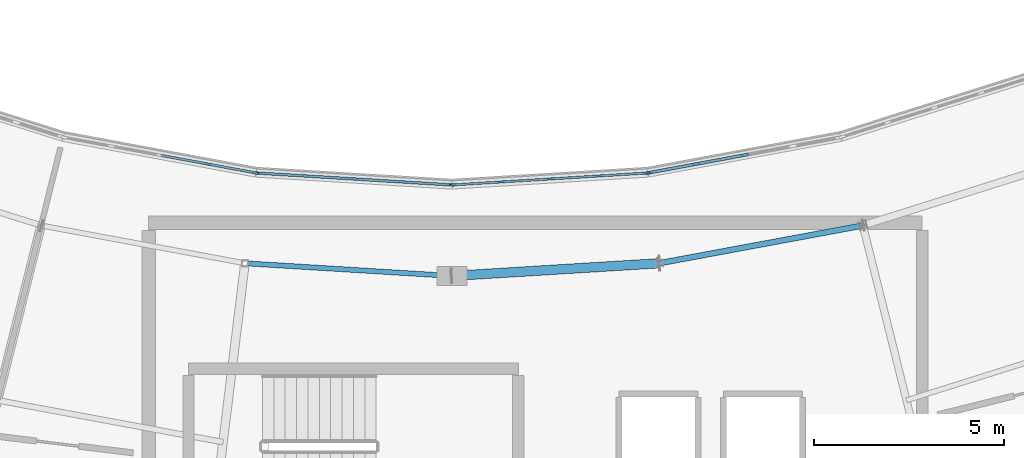
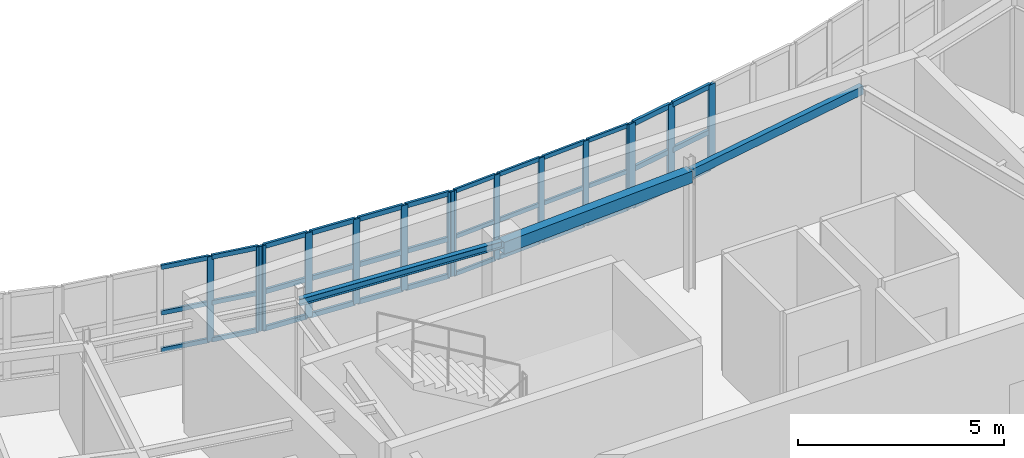
# One storey, part 21 of 65: 51 members, 3 beams, 4 elements without a shape of their own.
"""IFC4 building model written with IfcOpenShell, lengths in metres."""

from ifc_helpers import new_model, si_unit, direction, frame, origin, origin_2d, place, context, subcontext, project, spatial, rectangle, hollow_rectangle, i_section, extrude, material, layer, layer_set, material_profile, profile_set, type_object, element, aggregate, save


model = new_model("IFC4")

# Units and contexts
model_context = context("Model", 3, precision=1e-05, world=origin(), true_north=direction((0.0, 1.0)))
body_context = subcontext(model_context, "Body", "Model", "MODEL_VIEW")
ifc_project = project(units=[si_unit("LENGTHUNIT", "METRE"), si_unit("AREAUNIT", "SQUARE_METRE"), si_unit("VOLUMEUNIT", "CUBIC_METRE"), si_unit("PLANEANGLEUNIT", "RADIAN"), si_unit("MASSUNIT", "GRAM", prefix="KILO")], contexts=[model_context])

# Site, building, storey
site_placement = place(None, origin())
site = spatial("IfcSite", under=ifc_project, at=site_placement, CompositionType="ELEMENT")
building_placement = place(site_placement, origin())
building = spatial("IfcBuilding", under=site, at=building_placement, Name="Tarnwether General Hospital", CompositionType="ELEMENT")
storey_placement = place(building_placement, frame((0.0, 0.0, 22.199951171875)))
storey = spatial("IfcBuildingStorey", under=building, at=storey_placement, Name="L05", CompositionType="ELEMENT", Elevation=22.199951171875)

# Beams
ifc_material_1 = material(Name="Steel Grade 350 (350 MPa)", Category="steel")
ifc_material_profile_1 = material_profile(ifc_material_1, i_section(OverallWidth=0.133056640625, OverallDepth=0.201904296875, WebThickness=0.0048828125, FlangeThickness=0.007080078125, at=origin_2d()), Name="200UB22.3")
ifc_profile_set_1 = profile_set([ifc_material_profile_1], Name="Steel Grade 350 (350 MPa)")
beam_type_1 = type_object("IfcBeamType", Name="BM-SP6", PredefinedType="SPANDREL", material=ifc_profile_set_1)
beam_1_placement = place(storey_placement, frame((86.5400390625, 18.533935546875, 3.458984375), z_axis=(0.998134365538, -0.061055616708, 0.0), x_axis=(0.061055616708, 0.998134365538, 0.0)))
element("IfcBeam", 1, at=beam_1_placement, inside=storey, type_object=beam_type_1, Name="Curved Ward SE Inner Spandrel BMG-L05-8654_1853-9200_1820-2183", PredefinedType="SPANDREL", context=body_context, shape_type="SweptSolid", body=[
    extrude(i_section(OverallWidth=0.133056640625, OverallDepth=0.201904296875, WebThickness=0.0048828125, FlangeThickness=0.007080078125, at=origin_2d()), origin(), (0.0, 0.0, 1.0), 5.47021484375),
])
ifc_material_2 = material(Name="Steel Grade C350L0 (350 MPa)", Category="steel")
ifc_material_profile_2 = material_profile(ifc_material_2, hollow_rectangle(XDim=0.25, YDim=0.35009765625, WallThickness=0.012451171875, at=origin_2d()), Name="RHS350x250x12.5")
ifc_profile_set_2 = profile_set([ifc_material_profile_2], Name="Steel Grade C350L0 (350 MPa)")
beam_type_2 = type_object("IfcBeamType", Name="BM-SP7", PredefinedType="SPANDREL", material=ifc_profile_set_2)
beam_2_placement = place(storey_placement, frame((92.0, 18.199951171875, 3.385009765625), z_axis=(0.998134365538, 0.061055616708, 0.0), x_axis=(-0.061055616708, 0.998134365538, 0.0)))
element("IfcBeam", 2, at=beam_2_placement, inside=storey, type_object=beam_type_2, Name="Curved Ward SE Inner Spandrel BMG-L05-9200_1820-9746_1853-2185", PredefinedType="SPANDREL", context=body_context, shape_type="SweptSolid", body=[
    extrude(hollow_rectangle(XDim=0.25, YDim=0.35009765625, WallThickness=0.012451171875, at=origin_2d()), origin(), (0.0, 0.0, 1.0), 5.47021484375),
])
ifc_material_3 = material(Name="Steel Grade C350L0 (350 MPa)", Category="steel")
ifc_material_profile_3 = material_profile(ifc_material_3, hollow_rectangle(XDim=0.14990234375, YDim=0.25, WallThickness=0.008056640625, at=origin_2d()), Name="RHS250x150x8")
ifc_profile_set_3 = profile_set([ifc_material_profile_3], Name="Steel Grade C350L0 (350 MPa)")
beam_type_3 = type_object("IfcBeamType", Name="BM-SP8", PredefinedType="SPANDREL", material=ifc_profile_set_3)
beam_3_placement = place(storey_placement, frame((97.4599609375, 18.533935546875, 3.43505859375), z_axis=(0.983244096291, 0.18229384825, 0.0), x_axis=(-0.18229384825, 0.983244096291, 0.0)))
element("IfcBeam", 3, at=beam_3_placement, inside=storey, type_object=beam_type_3, Name="Curved Ward SE Inner Spandrel BMG-L05-9746_1853-10284_1953-2187", PredefinedType="SPANDREL", context=body_context, shape_type="SweptSolid", body=[
    extrude(hollow_rectangle(XDim=0.14990234375, YDim=0.25, WallThickness=0.008056640625, at=origin_2d()), origin(), (0.0, 0.0, 1.0), 5.469482421875),
])

# Curtain wall, members
ifc_material_4 = material(Name="Anodised aluminium", Category="aluminium")
ifc_layer = layer(ifc_material_4, 0.159912109375)
ifc_layer_set = layer_set([ifc_layer], Name="Anodised aluminium")
curtain_wall_type = type_object("IfcCurtainWallType", Name="CW-04", PredefinedType="NOTDEFINED", material=ifc_layer_set)
curtain_wall_1_placement = place(storey_placement, origin())
curtain_wall_1 = element("IfcCurtainWall", 4, at=curtain_wall_1_placement, inside=storey, type_object=curtain_wall_type, Name="Curtain Wall CWG-L05-920_206-0233", PredefinedType="NOTDEFINED")
ifc_material_5 = material(Name="Anodised aluminium", Category="aluminium")
ifc_material_profile_4 = material_profile(ifc_material_5, rectangle(XDim=0.06005859375, YDim=0.159912109375, at=origin_2d()), Name="ALU-MUL-60x160")
ifc_profile_set_4 = profile_set([ifc_material_profile_4], Name="Anodised aluminium")
member_type_1 = type_object("IfcMemberType", Name="CW-ML1", PredefinedType="MULLION", material=ifc_profile_set_4)
member_1_placement = place(storey_placement, frame((92.030029296875, 20.601806640625, 1.050048828125), z_axis=(0.0, 0.0, 1.0), x_axis=(-0.06104329354, 0.998135119267, 0.0)))
member_1 = element("IfcMember", 5, at=member_1_placement, type_object=member_type_1, Name="CW-04 mullion 1", PredefinedType="MULLION", context=body_context, shape_type="SweptSolid", body=[
    extrude(rectangle(XDim=0.06005859375, YDim=0.159912109375, at=origin_2d()), origin(), (0.0, 0.0, 1.0), 2.510009765625),
])
member_2_placement = place(storey_placement, frame((93.291748046875, 20.678955078125, 1.050048828125), z_axis=(0.0, 0.0, 1.0), x_axis=(-0.06104329354, 0.998135119267, 0.0)))
member_2 = element("IfcMember", 6, at=member_2_placement, type_object=member_type_1, Name="CW-04 mullion 2", PredefinedType="MULLION", context=body_context, shape_type="SweptSolid", body=[
    extrude(rectangle(XDim=0.06005859375, YDim=0.159912109375, at=origin_2d()), origin(), (0.0, 0.0, 1.0), 2.510009765625),
])
member_3_placement = place(storey_placement, frame((94.58349609375, 20.758056640625, 1.050048828125), z_axis=(0.0, 0.0, 1.0), x_axis=(-0.06104329354, 0.998135119267, 0.0)))
member_3 = element("IfcMember", 7, at=member_3_placement, type_object=member_type_1, Name="CW-04 mullion 3", PredefinedType="MULLION", context=body_context, shape_type="SweptSolid", body=[
    extrude(rectangle(XDim=0.06005859375, YDim=0.159912109375, at=origin_2d()), origin(), (0.0, 0.0, 1.0), 2.510009765625),
])
member_4_placement = place(storey_placement, frame((95.875244140625, 20.8369140625, 1.050048828125), z_axis=(0.0, 0.0, 1.0), x_axis=(-0.06104329354, 0.998135119267, 0.0)))
member_4 = element("IfcMember", 8, at=member_4_placement, type_object=member_type_1, Name="CW-04 mullion 4", PredefinedType="MULLION", context=body_context, shape_type="SweptSolid", body=[
    extrude(rectangle(XDim=0.06005859375, YDim=0.159912109375, at=origin_2d()), origin(), (0.0, 0.0, 1.0), 2.510009765625),
])
member_5_placement = place(storey_placement, frame((97.136962890625, 20.9140625, 1.050048828125), z_axis=(0.0, 0.0, 1.0), x_axis=(-0.06104329354, 0.998135119267, 0.0)))
member_5 = element("IfcMember", 9, at=member_5_placement, type_object=member_type_1, Name="CW-04 mullion 5", PredefinedType="MULLION", context=body_context, shape_type="SweptSolid", body=[
    extrude(rectangle(XDim=0.06005859375, YDim=0.159912109375, at=origin_2d()), origin(), (0.0, 0.0, 1.0), 2.510009765625),
])

curtain_wall_2_placement = place(storey_placement, origin())
curtain_wall_2 = element("IfcCurtainWall", 10, at=curtain_wall_2_placement, inside=storey, type_object=curtain_wall_type, Name="Curtain Wall CWG-L05-868_209-0234", PredefinedType="NOTDEFINED")
ifc_material_6 = material(Name="Anodised aluminium", Category="aluminium")
ifc_material_profile_5 = material_profile(ifc_material_6, rectangle(XDim=0.070068359375, YDim=0.179931640625, at=origin_2d()), Name="ALU-MUL-70x180")
ifc_profile_set_5 = profile_set([ifc_material_profile_5], Name="Anodised aluminium")
member_type_2 = type_object("IfcMemberType", Name="CW-ML2", PredefinedType="MULLION", material=ifc_profile_set_5)
member_6_placement = place(storey_placement, frame((86.867919921875, 20.913818359375, 1.050048828125), z_axis=(0.0, 0.0, 1.0), x_axis=(0.06104329354, 0.998135119267, 0.0)))
member_6 = element("IfcMember", 11, at=member_6_placement, type_object=member_type_2, Name="CW-04 mullion 1", PredefinedType="MULLION", context=body_context, shape_type="SweptSolid", body=[
    extrude(rectangle(XDim=0.070068359375, YDim=0.179931640625, at=origin_2d()), origin(), (0.0, 0.0, 1.0), 2.510009765625),
])
member_7_placement = place(storey_placement, frame((88.124755859375, 20.8369140625, 1.050048828125), z_axis=(0.0, 0.0, 1.0), x_axis=(0.06104329354, 0.998135119267, 0.0)))
member_7 = element("IfcMember", 12, at=member_7_placement, type_object=member_type_2, Name="CW-04 mullion 2", PredefinedType="MULLION", context=body_context, shape_type="SweptSolid", body=[
    extrude(rectangle(XDim=0.070068359375, YDim=0.179931640625, at=origin_2d()), origin(), (0.0, 0.0, 1.0), 2.510009765625),
])
member_8_placement = place(storey_placement, frame((89.41650390625, 20.758056640625, 1.050048828125), z_axis=(0.0, 0.0, 1.0), x_axis=(0.06104329354, 0.998135119267, 0.0)))
member_8 = element("IfcMember", 13, at=member_8_placement, type_object=member_type_2, Name="CW-04 mullion 3", PredefinedType="MULLION", context=body_context, shape_type="SweptSolid", body=[
    extrude(rectangle(XDim=0.070068359375, YDim=0.179931640625, at=origin_2d()), origin(), (0.0, 0.0, 1.0), 2.510009765625),
])
member_9_placement = place(storey_placement, frame((90.708251953125, 20.678955078125, 1.050048828125), z_axis=(0.0, 0.0, 1.0), x_axis=(0.06104329354, 0.998135119267, 0.0)))
member_9 = element("IfcMember", 14, at=member_9_placement, type_object=member_type_2, Name="CW-04 mullion 4", PredefinedType="MULLION", context=body_context, shape_type="SweptSolid", body=[
    extrude(rectangle(XDim=0.070068359375, YDim=0.179931640625, at=origin_2d()), origin(), (0.0, 0.0, 1.0), 2.510009765625),
])
member_10_placement = place(storey_placement, frame((91.965087890625, 20.60205078125, 1.050048828125), z_axis=(0.0, 0.0, 1.0), x_axis=(0.06104329354, 0.998135119267, 0.0)))
member_10 = element("IfcMember", 15, at=member_10_placement, type_object=member_type_2, Name="CW-04 mullion 5", PredefinedType="MULLION", context=body_context, shape_type="SweptSolid", body=[
    extrude(rectangle(XDim=0.070068359375, YDim=0.179931640625, at=origin_2d()), origin(), (0.0, 0.0, 1.0), 2.510009765625),
])

curtain_wall_3_placement = place(storey_placement, origin())
curtain_wall_3 = element("IfcCurtainWall", 16, at=curtain_wall_3_placement, inside=storey, type_object=curtain_wall_type, Name="Curtain Wall CWG-L05-817_219-0235", PredefinedType="NOTDEFINED")
ifc_material_7 = material(Name="Anodised aluminium", Category="aluminium")
ifc_material_profile_6 = material_profile(ifc_material_7, rectangle(XDim=0.06494140625, YDim=0.169921875, at=origin_2d()), Name="ALU-MUL-65x170")
ifc_profile_set_6 = profile_set([ifc_material_profile_6], Name="Anodised aluminium")
member_type_3 = type_object("IfcMemberType", Name="CW-ML3", PredefinedType="MULLION", material=ifc_profile_set_6)
member_11_placement = place(storey_placement, frame((85.560546875, 21.15185546875, 1.050048828125), z_axis=(0.0, 0.0, 1.0), x_axis=(0.182165351666, 0.983267910924, 0.0)))
member_11 = element("IfcMember", 17, at=member_11_placement, type_object=member_type_3, Name="CW-04 mullion 4", PredefinedType="MULLION", context=body_context, shape_type="SweptSolid", body=[
    extrude(rectangle(XDim=0.06494140625, YDim=0.169921875, at=origin_2d()), origin(), (0.0, 0.0, 1.0), 2.510009765625),
])
member_12_placement = place(storey_placement, frame((86.801025390625, 20.921875, 1.050048828125), z_axis=(0.0, 0.0, 1.0), x_axis=(0.182165351666, 0.983267910924, 0.0)))
member_12 = element("IfcMember", 18, at=member_12_placement, type_object=member_type_3, Name="CW-04 mullion 5", PredefinedType="MULLION", context=body_context, shape_type="SweptSolid", body=[
    extrude(rectangle(XDim=0.06494140625, YDim=0.169921875, at=origin_2d()), origin(), (0.0, 0.0, 1.0), 2.510009765625),
])

curtain_wall_4_placement = place(storey_placement, origin())
curtain_wall_4 = element("IfcCurtainWall", 19, at=curtain_wall_4_placement, inside=storey, type_object=curtain_wall_type, Name="Curtain Wall CWG-L05-972_209-0232", PredefinedType="NOTDEFINED")
ifc_material_8 = material(Name="Anodised aluminium", Category="aluminium")
ifc_material_profile_7 = material_profile(ifc_material_8, rectangle(XDim=0.080078125, YDim=0.199951171875, at=origin_2d()), Name="ALU-MUL-80x200")
ifc_profile_set_7 = profile_set([ifc_material_profile_7], Name="Anodised aluminium")
member_type_4 = type_object("IfcMemberType", Name="CW-ML4", PredefinedType="MULLION", material=ifc_profile_set_7)
member_13_placement = place(storey_placement, frame((97.206298828125, 20.92333984375, 1.050048828125), z_axis=(0.0, 0.0, 1.0), x_axis=(-0.182165351666, 0.983267910924, 0.0)))
member_13 = element("IfcMember", 20, at=member_13_placement, type_object=member_type_4, Name="CW-04 mullion 1", PredefinedType="MULLION", context=body_context, shape_type="SweptSolid", body=[
    extrude(rectangle(XDim=0.080078125, YDim=0.199951171875, at=origin_2d()), origin(), (0.0, 0.0, 1.0), 2.510009765625),
])
member_14_placement = place(storey_placement, frame((98.439453125, 21.15185546875, 1.050048828125), z_axis=(0.0, 0.0, 1.0), x_axis=(-0.182165351666, 0.983267910924, 0.0)))
member_14 = element("IfcMember", 21, at=member_14_placement, type_object=member_type_4, Name="CW-04 mullion 2", PredefinedType="MULLION", context=body_context, shape_type="SweptSolid", body=[
    extrude(rectangle(XDim=0.080078125, YDim=0.199951171875, at=origin_2d()), origin(), (0.0, 0.0, 1.0), 2.510009765625),
])
member_15_placement = place(storey_placement, frame((99.7119140625, 21.387451171875, 1.050048828125), z_axis=(0.0, 0.0, 1.0), x_axis=(-0.182165351666, 0.983267910924, 0.0)))
member_15 = element("IfcMember", 22, at=member_15_placement, type_object=member_type_4, Name="CW-04 mullion 3", PredefinedType="MULLION", context=body_context, shape_type="SweptSolid", body=[
    extrude(rectangle(XDim=0.080078125, YDim=0.199951171875, at=origin_2d()), origin(), (0.0, 0.0, 1.0), 2.510009765625),
])

# Member
ifc_material_9 = material(Name="Anodised aluminium", Category="aluminium")
ifc_material_profile_8 = material_profile(ifc_material_9, rectangle(XDim=0.06005859375, YDim=0.1201171875, at=origin_2d()), Name="ALU-TRN-60x120")
ifc_profile_set_8 = profile_set([ifc_material_profile_8], Name="Anodised aluminium")
member_type_5 = type_object("IfcMemberType", Name="CW-TR1", PredefinedType="USERDEFINED", material=ifc_profile_set_8)
member_16_placement = place(storey_placement, frame((92.059814453125, 20.603759765625, 1.080078125), z_axis=(0.998136077867, 0.061027617192, 0.0), x_axis=(-0.061027617192, 0.998136077867, 0.0)))
member_16 = element("IfcMember", 23, at=member_16_placement, type_object=member_type_5, Name="CW-04 transom 1.1", ObjectType="TRANSOM", PredefinedType="USERDEFINED", context=body_context, shape_type="SweptSolid", body=[
    extrude(rectangle(XDim=0.06005859375, YDim=0.1201171875, at=origin_2d()), origin(), (0.0, 0.0, 1.0), 1.2041015625),
])

member_17_placement = place(storey_placement, frame((92.059814453125, 20.603759765625, 2.179443359375), z_axis=(0.998136077867, 0.061027617192, 0.0), x_axis=(-0.061027617192, 0.998136077867, 0.0)))
member_17 = element("IfcMember", 24, at=member_17_placement, type_object=member_type_5, Name="CW-04 transom 1.2", ObjectType="TRANSOM", PredefinedType="USERDEFINED", context=body_context, shape_type="SweptSolid", body=[
    extrude(rectangle(XDim=0.06005859375, YDim=0.1201171875, at=origin_2d()), origin(), (0.0, 0.0, 1.0), 1.2041015625),
])

member_18_placement = place(storey_placement, frame((92.059814453125, 20.603759765625, 3.530029296875), z_axis=(0.998136077867, 0.061027617192, 0.0), x_axis=(-0.061027617192, 0.998136077867, 0.0)))
member_18 = element("IfcMember", 25, at=member_18_placement, type_object=member_type_5, Name="CW-04 transom 1.3", ObjectType="TRANSOM", PredefinedType="USERDEFINED", context=body_context, shape_type="SweptSolid", body=[
    extrude(rectangle(XDim=0.06005859375, YDim=0.1201171875, at=origin_2d()), origin(), (0.0, 0.0, 1.0), 1.2041015625),
])

member_19_placement = place(storey_placement, frame((93.32177734375, 20.680908203125, 1.080078125), z_axis=(0.998141608765, 0.060937089296, 0.0), x_axis=(-0.060937089296, 0.998141608765, 0.0)))
member_19 = element("IfcMember", 26, at=member_19_placement, type_object=member_type_5, Name="CW-04 transom 2.1", ObjectType="TRANSOM", PredefinedType="USERDEFINED", context=body_context, shape_type="SweptSolid", body=[
    extrude(rectangle(XDim=0.06005859375, YDim=0.1201171875, at=origin_2d()), origin(), (0.0, 0.0, 1.0), 1.23388671875),
])

member_20_placement = place(storey_placement, frame((93.32177734375, 20.680908203125, 2.179443359375), z_axis=(0.998141608765, 0.060937089296, 0.0), x_axis=(-0.060937089296, 0.998141608765, 0.0)))
member_20 = element("IfcMember", 27, at=member_20_placement, type_object=member_type_5, Name="CW-04 transom 2.2", ObjectType="TRANSOM", PredefinedType="USERDEFINED", context=body_context, shape_type="SweptSolid", body=[
    extrude(rectangle(XDim=0.06005859375, YDim=0.1201171875, at=origin_2d()), origin(), (0.0, 0.0, 1.0), 1.23388671875),
])

member_21_placement = place(storey_placement, frame((93.32177734375, 20.680908203125, 3.530029296875), z_axis=(0.998141608765, 0.060937089296, 0.0), x_axis=(-0.060937089296, 0.998141608765, 0.0)))
member_21 = element("IfcMember", 28, at=member_21_placement, type_object=member_type_5, Name="CW-04 transom 2.3", ObjectType="TRANSOM", PredefinedType="USERDEFINED", context=body_context, shape_type="SweptSolid", body=[
    extrude(rectangle(XDim=0.06005859375, YDim=0.1201171875, at=origin_2d()), origin(), (0.0, 0.0, 1.0), 1.23388671875),
])

member_22_placement = place(storey_placement, frame((94.613525390625, 20.759765625, 1.080078125), z_axis=(0.998129555591, 0.061134198747, 0.0), x_axis=(-0.061134198747, 0.998129555591, 0.0)))
member_22 = element("IfcMember", 29, at=member_22_placement, type_object=member_type_5, Name="CW-04 transom 3.1", ObjectType="TRANSOM", PredefinedType="USERDEFINED", context=body_context, shape_type="SweptSolid", body=[
    extrude(rectangle(XDim=0.06005859375, YDim=0.1201171875, at=origin_2d()), origin(), (0.0, 0.0, 1.0), 1.23388671875),
])

member_23_placement = place(storey_placement, frame((94.613525390625, 20.759765625, 2.179443359375), z_axis=(0.998129555591, 0.061134198747, 0.0), x_axis=(-0.061134198747, 0.998129555591, 0.0)))
member_23 = element("IfcMember", 30, at=member_23_placement, type_object=member_type_5, Name="CW-04 transom 3.2", ObjectType="TRANSOM", PredefinedType="USERDEFINED", context=body_context, shape_type="SweptSolid", body=[
    extrude(rectangle(XDim=0.06005859375, YDim=0.1201171875, at=origin_2d()), origin(), (0.0, 0.0, 1.0), 1.23388671875),
])

member_24_placement = place(storey_placement, frame((94.613525390625, 20.759765625, 3.530029296875), z_axis=(0.998129555591, 0.061134198747, 0.0), x_axis=(-0.061134198747, 0.998129555591, 0.0)))
member_24 = element("IfcMember", 31, at=member_24_placement, type_object=member_type_5, Name="CW-04 transom 3.3", ObjectType="TRANSOM", PredefinedType="USERDEFINED", context=body_context, shape_type="SweptSolid", body=[
    extrude(rectangle(XDim=0.06005859375, YDim=0.1201171875, at=origin_2d()), origin(), (0.0, 0.0, 1.0), 1.23388671875),
])

member_25_placement = place(storey_placement, frame((95.9052734375, 20.8388671875, 1.080078125), z_axis=(0.998136077867, 0.061027617192, 0.0), x_axis=(-0.061027617192, 0.998136077867, 0.0)))
member_25 = element("IfcMember", 32, at=member_25_placement, type_object=member_type_5, Name="CW-04 transom 4.1", ObjectType="TRANSOM", PredefinedType="USERDEFINED", context=body_context, shape_type="SweptSolid", body=[
    extrude(rectangle(XDim=0.06005859375, YDim=0.1201171875, at=origin_2d()), origin(), (0.0, 0.0, 1.0), 1.2041015625),
])

member_26_placement = place(storey_placement, frame((95.9052734375, 20.8388671875, 2.179443359375), z_axis=(0.998136077867, 0.061027617192, 0.0), x_axis=(-0.061027617192, 0.998136077867, 0.0)))
member_26 = element("IfcMember", 33, at=member_26_placement, type_object=member_type_5, Name="CW-04 transom 4.2", ObjectType="TRANSOM", PredefinedType="USERDEFINED", context=body_context, shape_type="SweptSolid", body=[
    extrude(rectangle(XDim=0.06005859375, YDim=0.1201171875, at=origin_2d()), origin(), (0.0, 0.0, 1.0), 1.2041015625),
])

member_27_placement = place(storey_placement, frame((95.9052734375, 20.8388671875, 3.530029296875), z_axis=(0.998136077867, 0.061027617192, 0.0), x_axis=(-0.061027617192, 0.998136077867, 0.0)))
member_27 = element("IfcMember", 34, at=member_27_placement, type_object=member_type_5, Name="CW-04 transom 4.3", ObjectType="TRANSOM", PredefinedType="USERDEFINED", context=body_context, shape_type="SweptSolid", body=[
    extrude(rectangle(XDim=0.06005859375, YDim=0.1201171875, at=origin_2d()), origin(), (0.0, 0.0, 1.0), 1.2041015625),
])

aggregate(curtain_wall_1, [member_1, member_2, member_3, member_4, member_5, member_16, member_17, member_18, member_19, member_20, member_21, member_22, member_23, member_24, member_25, member_26, member_27])

ifc_material_10 = material(Name="Anodised aluminium", Category="aluminium")
ifc_material_profile_9 = material_profile(ifc_material_10, rectangle(XDim=0.070068359375, YDim=0.139892578125, at=origin_2d()), Name="ALU-TRN-70x140")
ifc_profile_set_9 = profile_set([ifc_material_profile_9], Name="Anodised aluminium")
member_type_6 = type_object("IfcMemberType", Name="CW-TR2", PredefinedType="USERDEFINED", material=ifc_profile_set_9)
member_28_placement = place(storey_placement, frame((86.90283203125, 20.91162109375, 1.0849609375), z_axis=(0.9981394573, -0.06097231979, 0.0), x_axis=(0.06097231979, 0.9981394573, 0.0)))
member_28 = element("IfcMember", 35, at=member_28_placement, type_object=member_type_6, Name="CW-04 transom 1.1", ObjectType="TRANSOM", PredefinedType="USERDEFINED", context=body_context, shape_type="SweptSolid", body=[
    extrude(rectangle(XDim=0.070068359375, YDim=0.139892578125, at=origin_2d()), origin(), (0.0, 0.0, 1.0), 1.189208984375),
])

member_29_placement = place(storey_placement, frame((86.90283203125, 20.91162109375, 2.179443359375), z_axis=(0.9981394573, -0.06097231979, 0.0), x_axis=(0.06097231979, 0.9981394573, 0.0)))
member_29 = element("IfcMember", 36, at=member_29_placement, type_object=member_type_6, Name="CW-04 transom 1.2", ObjectType="TRANSOM", PredefinedType="USERDEFINED", context=body_context, shape_type="SweptSolid", body=[
    extrude(rectangle(XDim=0.070068359375, YDim=0.139892578125, at=origin_2d()), origin(), (0.0, 0.0, 1.0), 1.189208984375),
])

member_30_placement = place(storey_placement, frame((86.90283203125, 20.91162109375, 3.525146484375), z_axis=(0.9981394573, -0.06097231979, 0.0), x_axis=(0.06097231979, 0.9981394573, 0.0)))
member_30 = element("IfcMember", 37, at=member_30_placement, type_object=member_type_6, Name="CW-04 transom 1.3", ObjectType="TRANSOM", PredefinedType="USERDEFINED", context=body_context, shape_type="SweptSolid", body=[
    extrude(rectangle(XDim=0.070068359375, YDim=0.139892578125, at=origin_2d()), origin(), (0.0, 0.0, 1.0), 1.189208984375),
])

member_31_placement = place(storey_placement, frame((88.15966796875, 20.8349609375, 1.0849609375), z_axis=(0.998136243192, -0.06102491317, 0.0), x_axis=(0.06102491317, 0.998136243192, 0.0)))
member_31 = element("IfcMember", 38, at=member_31_placement, type_object=member_type_6, Name="CW-04 transom 2.1", ObjectType="TRANSOM", PredefinedType="USERDEFINED", context=body_context, shape_type="SweptSolid", body=[
    extrude(rectangle(XDim=0.070068359375, YDim=0.139892578125, at=origin_2d()), origin(), (0.0, 0.0, 1.0), 1.22412109375),
])

member_32_placement = place(storey_placement, frame((88.15966796875, 20.8349609375, 2.179443359375), z_axis=(0.998136243192, -0.06102491317, 0.0), x_axis=(0.06102491317, 0.998136243192, 0.0)))
member_32 = element("IfcMember", 39, at=member_32_placement, type_object=member_type_6, Name="CW-04 transom 2.2", ObjectType="TRANSOM", PredefinedType="USERDEFINED", context=body_context, shape_type="SweptSolid", body=[
    extrude(rectangle(XDim=0.070068359375, YDim=0.139892578125, at=origin_2d()), origin(), (0.0, 0.0, 1.0), 1.22412109375),
])

member_33_placement = place(storey_placement, frame((88.15966796875, 20.8349609375, 3.525146484375), z_axis=(0.998136243192, -0.06102491317, 0.0), x_axis=(0.06102491317, 0.998136243192, 0.0)))
member_33 = element("IfcMember", 40, at=member_33_placement, type_object=member_type_6, Name="CW-04 transom 2.3", ObjectType="TRANSOM", PredefinedType="USERDEFINED", context=body_context, shape_type="SweptSolid", body=[
    extrude(rectangle(XDim=0.070068359375, YDim=0.139892578125, at=origin_2d()), origin(), (0.0, 0.0, 1.0), 1.22412109375),
])

member_34_placement = place(storey_placement, frame((89.451416015625, 20.755859375, 1.0849609375), z_axis=(0.998136243192, -0.06102491317, 0.0), x_axis=(0.06102491317, 0.998136243192, 0.0)))
member_34 = element("IfcMember", 41, at=member_34_placement, type_object=member_type_6, Name="CW-04 transom 3.1", ObjectType="TRANSOM", PredefinedType="USERDEFINED", context=body_context, shape_type="SweptSolid", body=[
    extrude(rectangle(XDim=0.070068359375, YDim=0.139892578125, at=origin_2d()), origin(), (0.0, 0.0, 1.0), 1.22412109375),
])

member_35_placement = place(storey_placement, frame((89.451416015625, 20.755859375, 2.179443359375), z_axis=(0.998136243192, -0.06102491317, 0.0), x_axis=(0.06102491317, 0.998136243192, 0.0)))
member_35 = element("IfcMember", 42, at=member_35_placement, type_object=member_type_6, Name="CW-04 transom 3.2", ObjectType="TRANSOM", PredefinedType="USERDEFINED", context=body_context, shape_type="SweptSolid", body=[
    extrude(rectangle(XDim=0.070068359375, YDim=0.139892578125, at=origin_2d()), origin(), (0.0, 0.0, 1.0), 1.22412109375),
])

member_36_placement = place(storey_placement, frame((89.451416015625, 20.755859375, 3.525146484375), z_axis=(0.998136243192, -0.06102491317, 0.0), x_axis=(0.06102491317, 0.998136243192, 0.0)))
member_36 = element("IfcMember", 43, at=member_36_placement, type_object=member_type_6, Name="CW-04 transom 3.3", ObjectType="TRANSOM", PredefinedType="USERDEFINED", context=body_context, shape_type="SweptSolid", body=[
    extrude(rectangle(XDim=0.070068359375, YDim=0.139892578125, at=origin_2d()), origin(), (0.0, 0.0, 1.0), 1.22412109375),
])

member_37_placement = place(storey_placement, frame((90.7431640625, 20.6767578125, 1.0849609375), z_axis=(0.9981394573, -0.06097231979, 0.0), x_axis=(0.06097231979, 0.9981394573, 0.0)))
member_37 = element("IfcMember", 44, at=member_37_placement, type_object=member_type_6, Name="CW-04 transom 4.1", ObjectType="TRANSOM", PredefinedType="USERDEFINED", context=body_context, shape_type="SweptSolid", body=[
    extrude(rectangle(XDim=0.070068359375, YDim=0.139892578125, at=origin_2d()), origin(), (0.0, 0.0, 1.0), 1.189208984375),
])

member_38_placement = place(storey_placement, frame((90.7431640625, 20.6767578125, 2.179443359375), z_axis=(0.9981394573, -0.06097231979, 0.0), x_axis=(0.06097231979, 0.9981394573, 0.0)))
member_38 = element("IfcMember", 45, at=member_38_placement, type_object=member_type_6, Name="CW-04 transom 4.2", ObjectType="TRANSOM", PredefinedType="USERDEFINED", context=body_context, shape_type="SweptSolid", body=[
    extrude(rectangle(XDim=0.070068359375, YDim=0.139892578125, at=origin_2d()), origin(), (0.0, 0.0, 1.0), 1.189208984375),
])

member_39_placement = place(storey_placement, frame((90.7431640625, 20.6767578125, 3.525146484375), z_axis=(0.9981394573, -0.06097231979, 0.0), x_axis=(0.06097231979, 0.9981394573, 0.0)))
member_39 = element("IfcMember", 46, at=member_39_placement, type_object=member_type_6, Name="CW-04 transom 4.3", ObjectType="TRANSOM", PredefinedType="USERDEFINED", context=body_context, shape_type="SweptSolid", body=[
    extrude(rectangle(XDim=0.070068359375, YDim=0.139892578125, at=origin_2d()), origin(), (0.0, 0.0, 1.0), 1.189208984375),
])

aggregate(curtain_wall_2, [member_6, member_7, member_8, member_9, member_10, member_28, member_29, member_30, member_31, member_32, member_33, member_34, member_35, member_36, member_37, member_38, member_39])

ifc_material_11 = material(Name="Anodised aluminium", Category="aluminium")
ifc_material_profile_10 = material_profile(ifc_material_11, rectangle(XDim=0.06494140625, YDim=0.1298828125, at=origin_2d()), Name="ALU-TRN-65x130")
ifc_profile_set_10 = profile_set([ifc_material_profile_10], Name="Anodised aluminium")
member_type_7 = type_object("IfcMemberType", Name="CW-TR3", PredefinedType="USERDEFINED", material=ifc_profile_set_10)
member_40_placement = place(storey_placement, frame((84.320068359375, 21.381591796875, 1.08251953125), z_axis=(0.983270147702, -0.182153277867, 0.0), x_axis=(0.182153277867, 0.983270147702, 0.0)))
member_40 = element("IfcMember", 47, at=member_40_placement, type_object=member_type_7, Name="CW-04 transom 3.1", ObjectType="TRANSOM", PredefinedType="USERDEFINED", context=body_context, shape_type="SweptSolid", body=[
    extrude(rectangle(XDim=0.06494140625, YDim=0.1298828125, at=origin_2d()), origin(), (0.0, 0.0, 1.0), 1.22900390625),
])

member_41_placement = place(storey_placement, frame((84.320068359375, 21.381591796875, 2.179443359375), z_axis=(0.983270147702, -0.182153277867, 0.0), x_axis=(0.182153277867, 0.983270147702, 0.0)))
member_41 = element("IfcMember", 48, at=member_41_placement, type_object=member_type_7, Name="CW-04 transom 3.2", ObjectType="TRANSOM", PredefinedType="USERDEFINED", context=body_context, shape_type="SweptSolid", body=[
    extrude(rectangle(XDim=0.06494140625, YDim=0.1298828125, at=origin_2d()), origin(), (0.0, 0.0, 1.0), 1.22900390625),
])

member_42_placement = place(storey_placement, frame((84.320068359375, 21.381591796875, 3.527587890625), z_axis=(0.983270147702, -0.182153277867, 0.0), x_axis=(0.182153277867, 0.983270147702, 0.0)))
member_42 = element("IfcMember", 49, at=member_42_placement, type_object=member_type_7, Name="CW-04 transom 3.3", ObjectType="TRANSOM", PredefinedType="USERDEFINED", context=body_context, shape_type="SweptSolid", body=[
    extrude(rectangle(XDim=0.06494140625, YDim=0.1298828125, at=origin_2d()), origin(), (0.0, 0.0, 1.0), 1.22900390625),
])

member_43_placement = place(storey_placement, frame((85.592529296875, 21.145751953125, 1.08251953125), z_axis=(0.983260349414, -0.18220616145, 0.0), x_axis=(0.18220616145, 0.983260349414, 0.0)))
member_43 = element("IfcMember", 50, at=member_43_placement, type_object=member_type_7, Name="CW-04 transom 4.1", ObjectType="TRANSOM", PredefinedType="USERDEFINED", context=body_context, shape_type="SweptSolid", body=[
    extrude(rectangle(XDim=0.06494140625, YDim=0.1298828125, at=origin_2d()), origin(), (0.0, 0.0, 1.0), 1.196533203125),
])

member_44_placement = place(storey_placement, frame((85.592529296875, 21.145751953125, 2.179443359375), z_axis=(0.983260349414, -0.18220616145, 0.0), x_axis=(0.18220616145, 0.983260349414, 0.0)))
member_44 = element("IfcMember", 51, at=member_44_placement, type_object=member_type_7, Name="CW-04 transom 4.2", ObjectType="TRANSOM", PredefinedType="USERDEFINED", context=body_context, shape_type="SweptSolid", body=[
    extrude(rectangle(XDim=0.06494140625, YDim=0.1298828125, at=origin_2d()), origin(), (0.0, 0.0, 1.0), 1.196533203125),
])

member_45_placement = place(storey_placement, frame((85.592529296875, 21.145751953125, 3.527587890625), z_axis=(0.983260349414, -0.18220616145, 0.0), x_axis=(0.18220616145, 0.983260349414, 0.0)))
member_45 = element("IfcMember", 52, at=member_45_placement, type_object=member_type_7, Name="CW-04 transom 4.3", ObjectType="TRANSOM", PredefinedType="USERDEFINED", context=body_context, shape_type="SweptSolid", body=[
    extrude(rectangle(XDim=0.06494140625, YDim=0.1298828125, at=origin_2d()), origin(), (0.0, 0.0, 1.0), 1.196533203125),
])

aggregate(curtain_wall_3, [member_11, member_12, member_40, member_41, member_42, member_43, member_44, member_45])

ifc_material_12 = material(Name="Anodised aluminium", Category="aluminium")
ifc_material_profile_11 = material_profile(ifc_material_12, rectangle(XDim=0.080078125, YDim=0.14990234375, at=origin_2d()), Name="ALU-TRN-80x150")
ifc_profile_set_11 = profile_set([ifc_material_profile_11], Name="Anodised aluminium")
member_type_8 = type_object("IfcMemberType", Name="CW-TR4", PredefinedType="USERDEFINED", material=ifc_profile_set_11)
member_46_placement = place(storey_placement, frame((97.24560546875, 20.9306640625, 1.090087890625), z_axis=(0.983272351961, 0.182141378794, 0.0), x_axis=(-0.182141378794, 0.983272351961, 0.0)))
member_46 = element("IfcMember", 53, at=member_46_placement, type_object=member_type_8, Name="CW-04 transom 1.1", ObjectType="TRANSOM", PredefinedType="USERDEFINED", context=body_context, shape_type="SweptSolid", body=[
    extrude(rectangle(XDim=0.080078125, YDim=0.14990234375, at=origin_2d()), origin(), (0.0, 0.0, 1.0), 1.174072265625),
])

member_47_placement = place(storey_placement, frame((97.24560546875, 20.9306640625, 2.179443359375), z_axis=(0.983272351961, 0.182141378794, 0.0), x_axis=(-0.182141378794, 0.983272351961, 0.0)))
member_47 = element("IfcMember", 54, at=member_47_placement, type_object=member_type_8, Name="CW-04 transom 1.2", ObjectType="TRANSOM", PredefinedType="USERDEFINED", context=body_context, shape_type="SweptSolid", body=[
    extrude(rectangle(XDim=0.080078125, YDim=0.14990234375, at=origin_2d()), origin(), (0.0, 0.0, 1.0), 1.174072265625),
])

member_48_placement = place(storey_placement, frame((97.24560546875, 20.9306640625, 3.52001953125), z_axis=(0.983272351961, 0.182141378794, 0.0), x_axis=(-0.182141378794, 0.983272351961, 0.0)))
member_48 = element("IfcMember", 55, at=member_48_placement, type_object=member_type_8, Name="CW-04 transom 1.3", ObjectType="TRANSOM", PredefinedType="USERDEFINED", context=body_context, shape_type="SweptSolid", body=[
    extrude(rectangle(XDim=0.080078125, YDim=0.14990234375, at=origin_2d()), origin(), (0.0, 0.0, 1.0), 1.174072265625),
])

member_49_placement = place(storey_placement, frame((98.478759765625, 21.158935546875, 1.090087890625), z_axis=(0.983266000374, 0.182175663873, 0.0), x_axis=(-0.182175663873, 0.983266000374, 0.0)))
member_49 = element("IfcMember", 56, at=member_49_placement, type_object=member_type_8, Name="CW-04 transom 2.1", ObjectType="TRANSOM", PredefinedType="USERDEFINED", context=body_context, shape_type="SweptSolid", body=[
    extrude(rectangle(XDim=0.080078125, YDim=0.14990234375, at=origin_2d()), origin(), (0.0, 0.0, 1.0), 1.214111328125),
])

member_50_placement = place(storey_placement, frame((98.478759765625, 21.158935546875, 2.179443359375), z_axis=(0.983266000374, 0.182175663873, 0.0), x_axis=(-0.182175663873, 0.983266000374, 0.0)))
member_50 = element("IfcMember", 57, at=member_50_placement, type_object=member_type_8, Name="CW-04 transom 2.2", ObjectType="TRANSOM", PredefinedType="USERDEFINED", context=body_context, shape_type="SweptSolid", body=[
    extrude(rectangle(XDim=0.080078125, YDim=0.14990234375, at=origin_2d()), origin(), (0.0, 0.0, 1.0), 1.214111328125),
])

member_51_placement = place(storey_placement, frame((98.478759765625, 21.158935546875, 3.52001953125), z_axis=(0.983266000374, 0.182175663873, 0.0), x_axis=(-0.182175663873, 0.983266000374, 0.0)))
member_51 = element("IfcMember", 58, at=member_51_placement, type_object=member_type_8, Name="CW-04 transom 2.3", ObjectType="TRANSOM", PredefinedType="USERDEFINED", context=body_context, shape_type="SweptSolid", body=[
    extrude(rectangle(XDim=0.080078125, YDim=0.14990234375, at=origin_2d()), origin(), (0.0, 0.0, 1.0), 1.214111328125),
])

aggregate(curtain_wall_4, [member_13, member_14, member_15, member_46, member_47, member_48, member_49, member_50, member_51])

save(model, "model.ifc")
